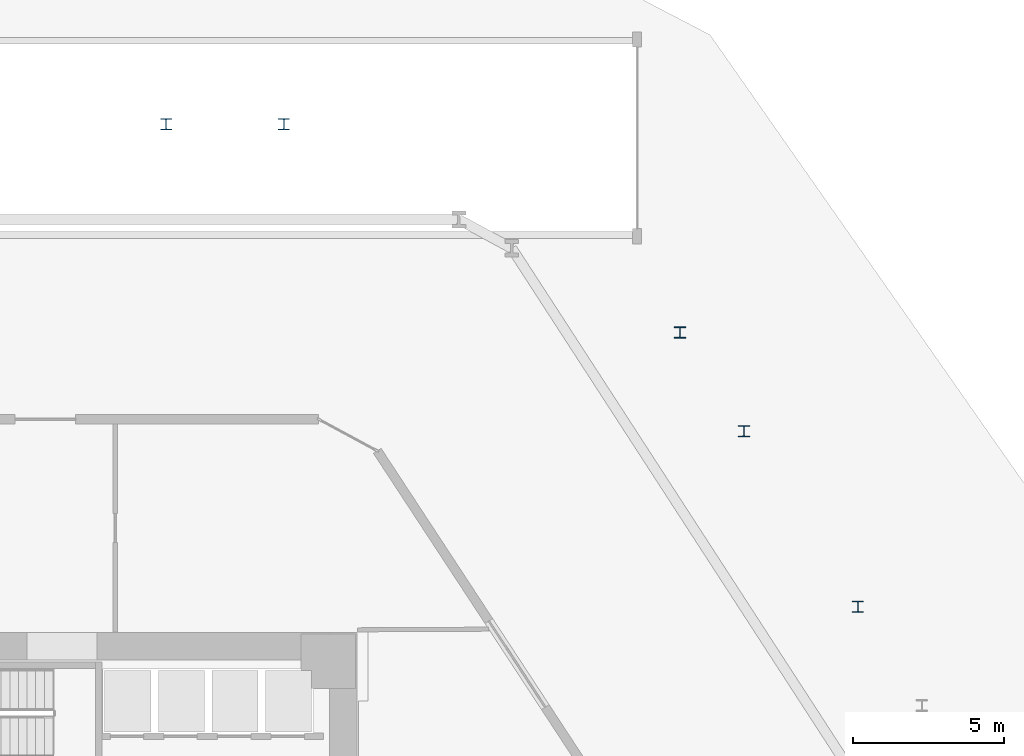
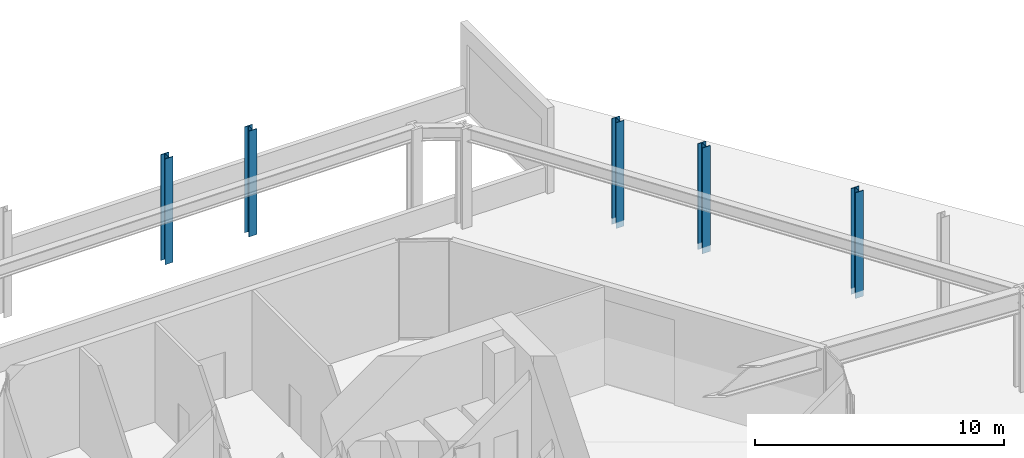
# One storey, part 4 of 18: 5 columns.
"""IFC4 building model written with IfcOpenShell, lengths in metres."""

from ifc_helpers import new_model, si_unit, direction, frame, origin, origin_2d, place, context, subcontext, project, spatial, i_section, extrude, source, transform, mapped, material, material_profile, profile_set, type_object, type_shapes, element, save


model = new_model("IFC4")

# Units and contexts
model_context = context("Model", 3, precision=1e-05, world=origin(), true_north=direction((0.0, 1.0)))
body_context = subcontext(model_context, "Body", "Model", "MODEL_VIEW")
ifc_project = project(units=[si_unit("LENGTHUNIT", "METRE"), si_unit("AREAUNIT", "SQUARE_METRE"), si_unit("VOLUMEUNIT", "CUBIC_METRE"), si_unit("PLANEANGLEUNIT", "RADIAN"), si_unit("MASSUNIT", "GRAM", prefix="KILO")], contexts=[model_context])

# Site, building, storey
site_placement = place(None, origin())
site = spatial("IfcSite", under=ifc_project, at=site_placement, CompositionType="ELEMENT")
building_placement = place(site_placement, origin())
building = spatial("IfcBuilding", under=site, at=building_placement, Name="Durnholm Broadcast Tower", CompositionType="ELEMENT")
storey_placement = place(building_placement, origin())
storey = spatial("IfcBuildingStorey", under=building, at=storey_placement, Name="L00", CompositionType="ELEMENT", Elevation=0.0)

# Columns
ifc_material = material(Name="Steel ASTM A992 Grade 50", Category="steel")
ifc_material_profile = material_profile(ifc_material, i_section(OverallWidth=0.37255859375, OverallDepth=0.367919921875, WebThickness=0.014892578125, FlangeThickness=0.02392578125, FilletRadius=0.030517578125, at=origin_2d()), Name="W14X120")
ifc_profile_set = profile_set([ifc_material_profile], Name="Steel ASTM A992 Grade 50")
column_type = type_object("IfcColumnType", Name="STL-SC-W14X120", PredefinedType="COLUMN", material=ifc_profile_set)
shared_shape = source(origin(), body_context, "Body", "SweptSolid", [
    extrude(i_section(OverallWidth=0.37255859375, OverallDepth=0.367919921875, WebThickness=0.014892578125, FlangeThickness=0.02392578125, FilletRadius=0.030517578125, at=origin_2d()), origin(), (0.0, 0.0, 1.0), 5.199951171875),
])
type_shapes(column_type, [shared_shape])
for number, where, z_axis, x_axis, name in (
    (1, (27.3046875, 9.6025390625, -0.300048828125), (0.0, 0.0, 1.0), (1.0, 0.0, 0.0), "L00 stand-off exoskeleton pilotis column F3.2"),
    (2, (23.541015625, 15.40576171875, -0.300048828125), (0.0, 0.0, 1.0), (1.0, 0.0, 0.0), "L00 stand-off exoskeleton pilotis column F3.3"),
    (3, (21.42529296875, 18.668212890625, -0.300048828125), (0.0, 0.0, 1.0), (1.0, 0.0, 0.0), "L00 stand-off exoskeleton pilotis column F3.4"),
    (4, (8.3330078125, 25.550048828125, -0.300048828125), (0.0, 0.0, 1.0), (1.0, 0.0, 0.0), "L00 stand-off exoskeleton pilotis column F4.1"),
    (5, (4.444580078125, 25.550048828125, -0.300048828125), (0.0, 0.0, 1.0), (1.0, 0.0, 0.0), "L00 stand-off exoskeleton pilotis column F4.2"),
):
    element("IfcColumn", number, at=place(storey_placement, frame(where, z_axis=z_axis, x_axis=x_axis)), inside=storey, type_object=column_type, Name=name, PredefinedType="COLUMN", context=body_context, shape_type="MappedRepresentation", body=[
        mapped(shared_shape, transform((0.0, 0.0, 0.0), x_axis=(1.0, 0.0, 0.0), y_axis=(0.0, 1.0, 0.0), z_axis=(0.0, 0.0, 1.0), scale=1.0)),
    ])

save(model, "model.ifc")
